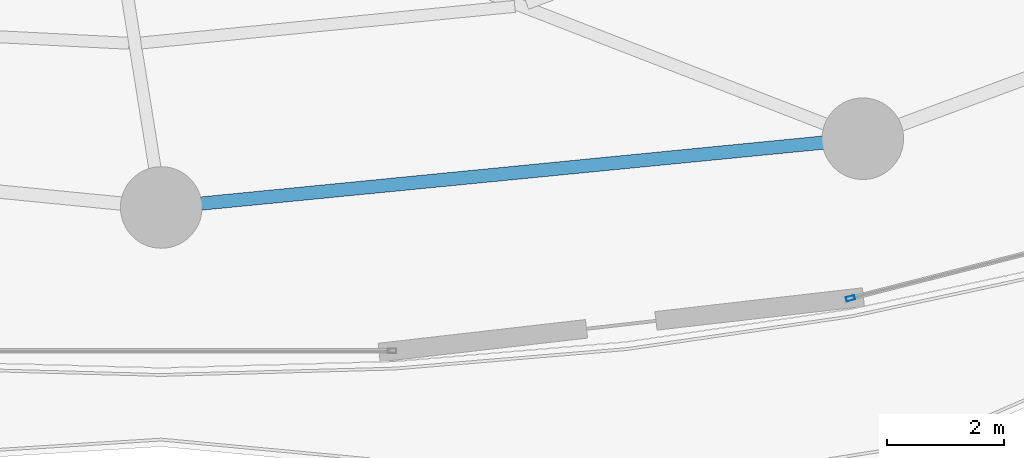
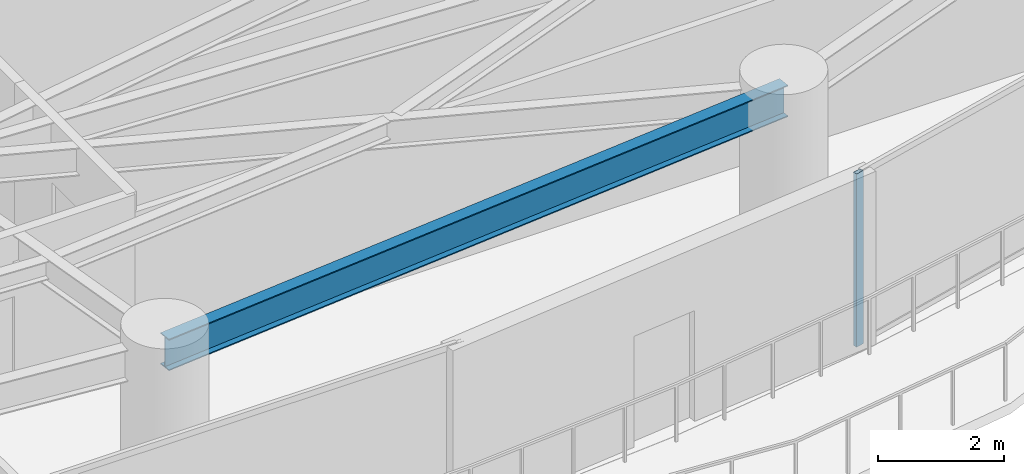
# One storey, part 11 of 31: 1 beam, 1 member, 1 element without a shape of its own.
"""IFC4 building model written with IfcOpenShell, lengths in metres."""

from ifc_helpers import new_model, si_unit, direction, frame, origin, origin_2d, place, context, subcontext, project, spatial, hollow_rectangle, i_section, extrude, material, layer, layer_set, material_profile, profile_set, type_object, element, aggregate, save


model = new_model("IFC4")

# Units and contexts
model_context = context("Model", 3, precision=1e-05, world=origin(), true_north=direction((0.0, 1.0)))
body_context = subcontext(model_context, "Body", "Model", "MODEL_VIEW")
ifc_project = project(units=[si_unit("LENGTHUNIT", "METRE"), si_unit("AREAUNIT", "SQUARE_METRE"), si_unit("VOLUMEUNIT", "CUBIC_METRE"), si_unit("PLANEANGLEUNIT", "RADIAN"), si_unit("MASSUNIT", "GRAM", prefix="KILO")], contexts=[model_context])

# Site, building, storey
site_placement = place(None, origin())
site = spatial("IfcSite", under=ifc_project, at=site_placement, CompositionType="ELEMENT")
building_placement = place(site_placement, origin())
building = spatial("IfcBuilding", under=site, at=building_placement, Name="Kazevale Care Tower and Concert Hall", CompositionType="ELEMENT")
storey_placement = place(building_placement, frame((0.0, 0.0, 63.60009765625)))
storey = spatial("IfcBuildingStorey", under=building, at=storey_placement, Name="L16", CompositionType="ELEMENT", Elevation=63.60009765625)

# Curtain wall, member
ifc_material_1 = material(Name="Aluminium 6063-T6 and Low-E Glass", Category="aluminium")
ifc_layer = layer(ifc_material_1, 0.179931640625)
ifc_layer_set = layer_set([ifc_layer], Name="Aluminium 6063-T6 and Low-E Glass")
curtain_wall_type = type_object("IfcCurtainWallType", Name="Sheltered Concave Balcony Curtain Wall CW-5", PredefinedType="NOTDEFINED", material=ifc_layer_set)
curtain_wall_placement = place(storey_placement, origin())
curtain_wall = element("IfcCurtainWall", 1, at=curtain_wall_placement, inside=storey, type_object=curtain_wall_type, Name="cw:L16:f04", PredefinedType="NOTDEFINED")
ifc_material_2 = material(Name="Aluminium 6063-T6", Category="aluminium")
ifc_material_profile_1 = material_profile(ifc_material_2, hollow_rectangle(XDim=0.074951171875, YDim=0.14990234375, WallThickness=0.00390625, at=origin_2d()), Name="ALU75x150x4")
ifc_profile_set_1 = profile_set([ifc_material_profile_1], Name="Aluminium 6063-T6")
member_type = type_object("IfcMemberType", Name="CW-5 Mullion ALU75x150x4", PredefinedType="MULLION", material=ifc_profile_set_1)
member_placement = place(storey_placement, frame((56.828369140625, 15.791259765625, 0.0), z_axis=(0.0, 0.0, 1.0), x_axis=(0.247221864936, -0.968958899798, 0.0)))
member = element("IfcMember", 2, at=member_placement, type_object=member_type, Name="CW-5 mullion 2", PredefinedType="MULLION", context=body_context, shape_type="SweptSolid", body=[
    extrude(hollow_rectangle(XDim=0.074951171875, YDim=0.14990234375, WallThickness=0.00390625, at=origin_2d()), origin(), (0.0, 0.0, 1.0), 3.35986328125),
])
aggregate(curtain_wall, [member])

# Beam
ifc_material_3 = material(Name="Steel ASTM A572 Gr 50", Category="steel")
ifc_material_profile_2 = material_profile(ifc_material_3, i_section(OverallWidth=0.22900390625, OverallDepth=0.612060546875, WebThickness=0.011962890625, FlangeThickness=0.01953125, at=origin_2d()), Name="W610x125")
ifc_profile_set_2 = profile_set([ifc_material_profile_2], Name="Steel ASTM A572 Gr 50")
beam_type = type_object("IfcBeamType", Name="Ring Spandrel Beam W610x125", PredefinedType="SPANDREL", material=ifc_profile_set_2)
beam_placement = place(storey_placement, frame((45.0, 17.35009765625, 3.053955078125), z_axis=(0.995232251602, 0.09753340644, 0.0), x_axis=(-0.09753340644, 0.995232251602, 0.0)))
element("IfcBeam", 3, at=beam_placement, inside=storey, type_object=beam_type, Name="beam:L16:ring:13", PredefinedType="SPANDREL", context=body_context, shape_type="SweptSolid", body=[
    extrude(i_section(OverallWidth=0.22900390625, OverallDepth=0.612060546875, WebThickness=0.011962890625, FlangeThickness=0.01953125, at=origin_2d()), origin(), (0.0, 0.0, 1.0), 12.09765625),
])

save(model, "model.ifc")
